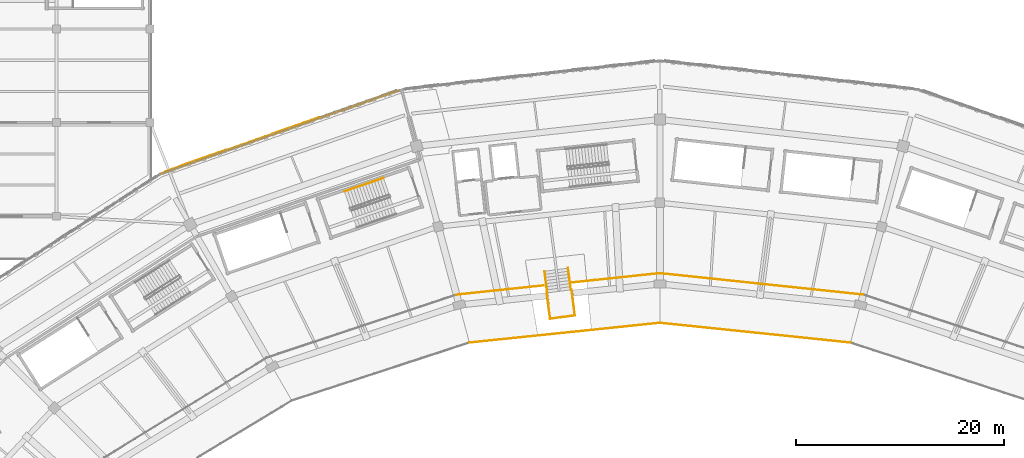
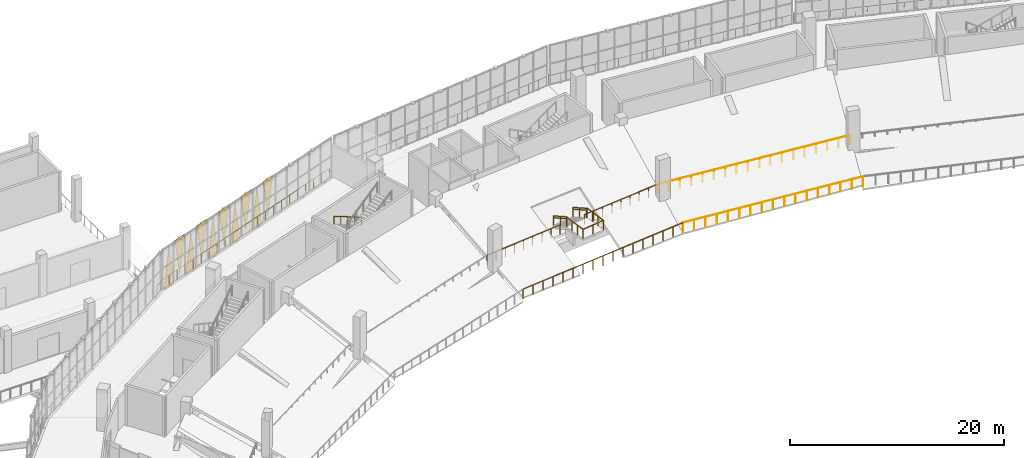
# One storey, part 144 of 152: 14 railings, 10 coverings.
"""IFC4 building model written with IfcOpenShell, lengths in metres."""

from ifc_helpers import new_model, si_unit, direction, frame, origin, origin_2d, place, context, subcontext, project, spatial, polyline, circle, outline, extrude, material, layer, layer_set, type_object, element, save


model = new_model("IFC4")

# Units and contexts
model_context = context("Model", 3, precision=1e-05, world=origin(), true_north=direction((0.0, 1.0)))
body_context = subcontext(model_context, "Body", "Model", "MODEL_VIEW")
ifc_project = project(units=[si_unit("LENGTHUNIT", "METRE"), si_unit("AREAUNIT", "SQUARE_METRE"), si_unit("VOLUMEUNIT", "CUBIC_METRE"), si_unit("PLANEANGLEUNIT", "RADIAN"), si_unit("MASSUNIT", "GRAM", prefix="KILO")], contexts=[model_context])

# Site, building, storey
site_placement = place(None, origin())
site = spatial("IfcSite", under=ifc_project, at=site_placement, CompositionType="ELEMENT")
building_placement = place(site_placement, origin())
building = spatial("IfcBuilding", under=site, at=building_placement, Name="Zevraka Park Crest Stadium", CompositionType="ELEMENT")
storey_placement = place(building_placement, frame((0.0, 0.0, 15.0)))
storey = spatial("IfcBuildingStorey", under=building, at=storey_placement, Name="L03", CompositionType="ELEMENT", Elevation=15.0)

# Coverings
ifc_material_1 = material(Name="Architectural golden-bronze perforated aluminium", Category="aluminium")
ifc_layer = layer(ifc_material_1, 0.034912109375)
ifc_layer_set = layer_set([ifc_layer], Name="Architectural golden-bronze perforated aluminium")
covering_type = type_object("IfcCoveringType", Name="CLD01", PredefinedType="CLADDING", material=ifc_layer_set)
covering_1_placement = place(storey_placement, frame((77.882080078125, 167.0, 4.52001953125), z_axis=(0.330012295654, -0.943976624056, 0.00013398862), x_axis=(0.94397663253, 0.330012298616, 0.0)))
element("IfcCovering", 1, at=covering_1_placement, inside=storey, type_object=covering_type, Name="Triangular Golden-Bronze Perforated Cladding L03-07-6", PredefinedType="CLADDING", context=body_context, shape_type="SweptSolid", body=[
    extrude(outline(polyline([(0.0, 0.0), (1.4152230616345545, 6.776263578034403e-21), (0.7074101072951724, -4.300048866724282), (0.0, 0.0)])), origin(), (0.0, 0.0, -1.0), 0.034912109375),
])
covering_2_placement = place(storey_placement, frame((77.73095703125, 166.947021484375, -0.260009765625), z_axis=(0.33001229605, -0.943976625189, 0.000124706276), x_axis=(-0.94397663253, -0.330012298616, 0.0)))
element("IfcCovering", 2, at=covering_2_placement, inside=storey, type_object=covering_type, Name="Triangular Golden-Bronze Perforated Cladding L03-07-7", PredefinedType="CLADDING", context=body_context, shape_type="SweptSolid", body=[
    extrude(outline(polyline([(0.0, 0.0), (1.4152230616345542, 0.0), (0.7074101072951724, -4.620117223425236), (0.0, 0.0)])), origin(), (0.0, 0.0, -1.0), 0.034912109375),
])
covering_3_placement = place(storey_placement, frame((74.908935546875, 165.9609375, 4.52001953125), z_axis=(0.329611991176, -0.944116483894, 1.0626568e-05), x_axis=(0.944116483947, 0.329611991195, 0.0)))
element("IfcCovering", 3, at=covering_3_placement, inside=storey, type_object=covering_type, Name="Triangular Golden-Bronze Perforated Cladding L03-07-8", PredefinedType="CLADDING", context=body_context, shape_type="SweptSolid", body=[
    extrude(outline(polyline([(0.0, 0.0), (1.4139790589388457, 0.0), (0.7074907596851191, -4.30004882836779), (0.0, 0.0)])), origin(), (0.0, 0.0, -1.0), 0.034912109375),
])
covering_4_placement = place(storey_placement, frame((74.758056640625, 165.907958984375, -0.260009765625), z_axis=(-0.330012297693, 0.943976629887, 7.4823766e-05), x_axis=(-0.94397663253, -0.330012298616, 0.0)))
element("IfcCovering", 4, at=covering_4_placement, inside=storey, type_object=covering_type, Name="Triangular Golden-Bronze Perforated Cladding L03-07-9", PredefinedType="CLADDING", context=body_context, shape_type="SweptSolid", body=[
    extrude(outline(polyline([(0.0, 0.0), (1.4152230616345542, 0.0), (0.70773238493054, 4.620117200433086), (0.0, 0.0)])), origin(), (0.0, 0.0, -1.0), 0.034912109375),
])
covering_5_placement = place(storey_placement, frame((71.93505859375, 164.9208984375, 4.52001953125), z_axis=(-0.330012295654, 0.943976624056, 0.00013398862), x_axis=(0.94397663253, 0.330012298616, 0.0)))
element("IfcCovering", 5, at=covering_5_placement, inside=storey, type_object=covering_type, Name="Triangular Golden-Bronze Perforated Cladding L03-07-10", PredefinedType="CLADDING", context=body_context, shape_type="SweptSolid", body=[
    extrude(outline(polyline([(0.0, 0.0), (1.4152230616345545, 6.776263578034403e-21), (0.707812954339382, 4.300048866724282), (0.0, 0.0)])), origin(), (0.0, 0.0, -1.0), 0.034912109375),
])
covering_6_placement = place(storey_placement, frame((71.783935546875, 164.867919921875, -0.260009765625), z_axis=(-0.329243357705, 0.944245101341, 0.0), x_axis=(-0.944245101341, -0.329243357705, 0.0)))
element("IfcCovering", 6, at=covering_6_placement, inside=storey, type_object=covering_type, Name="Triangular Golden-Bronze Perforated Cladding L03-07-11", PredefinedType="CLADDING", context=body_context, shape_type="SweptSolid", body=[
    extrude(outline(polyline([(0.0, 0.0), (1.414820683847903, 0.0), (0.7074103419239515, 4.6201171875), (0.0, 0.0)])), origin(), (0.0, 0.0, -1.0), 0.034912109375),
])
covering_7_placement = place(storey_placement, frame((68.9609375, 163.882080078125, 4.52001953125), z_axis=(0.329958563173, -0.943995408388, 0.000124624382), x_axis=(0.943995415719, 0.329958565735, 0.0)))
element("IfcCovering", 7, at=covering_7_placement, inside=storey, type_object=covering_type, Name="Triangular Golden-Bronze Perforated Cladding L03-07-12", PredefinedType="CLADDING", context=body_context, shape_type="SweptSolid", body=[
    extrude(outline(polyline([(0.0, 0.0), (1.415453526972662, 0.0), (0.7074101389447789, -4.3000488615175385), (0.0, 0.0)])), origin(), (0.0, 0.0, -1.0), 0.034912109375),
])
covering_8_placement = place(storey_placement, frame((68.81005859375, 163.8291015625, -0.260009765625), z_axis=(0.330012297693, -0.943976629887, 7.4823766e-05), x_axis=(-0.94397663253, -0.330012298616, 0.0)))
element("IfcCovering", 8, at=covering_8_placement, inside=storey, type_object=covering_type, Name="Triangular Golden-Bronze Perforated Cladding L03-07-13", PredefinedType="CLADDING", context=body_context, shape_type="SweptSolid", body=[
    extrude(outline(polyline([(0.0, 0.0), (1.4152230616345542, 0.0), (0.7074906767040143, -4.620117200433086), (0.0, 0.0)])), origin(), (0.0, 0.0, -1.0), 0.034912109375),
])
covering_9_placement = place(storey_placement, frame((65.987060546875, 162.843017578125, 4.52001953125), z_axis=(0.32939719824, -0.944191445139, 2.6803822e-05), x_axis=(0.944191445478, 0.329397198358, 0.0)))
element("IfcCovering", 9, at=covering_9_placement, inside=storey, type_object=covering_type, Name="Triangular Golden-Bronze Perforated Cladding L03-07-14", PredefinedType="CLADDING", context=body_context, shape_type="SweptSolid", body=[
    extrude(outline(polyline([(0.0, 0.0), (1.4149010843069405, 0.0), (0.70741033253453, -4.300048829669675), (0.0, 0.0)])), origin(), (0.0, 0.0, -1.0), 0.034912109375),
])
covering_10_placement = place(storey_placement, frame((65.8359375, 162.7900390625, -0.260009765625), z_axis=(-0.33001229605, 0.943976625189, 0.000124706276), x_axis=(-0.94397663253, -0.330012298616, 0.0)))
element("IfcCovering", 10, at=covering_10_placement, inside=storey, type_object=covering_type, Name="Triangular Golden-Bronze Perforated Cladding L03-07-15", PredefinedType="CLADDING", context=body_context, shape_type="SweptSolid", body=[
    extrude(outline(polyline([(0.0, 0.0), (1.4152230616345542, 0.0), (0.707812954339382, 4.620117223425236), (0.0, 0.0)])), origin(), (0.0, 0.0, -1.0), 0.034912109375),
])

# Railings
ifc_material_2 = material(Name="Galvanised and bronze-finished steel balustrade", Category="steel")
railing_type_1 = type_object("IfcRailingType", Name="GR01", PredefinedType="GUARDRAIL", material=ifc_material_2)
railing_1_placement = place(storey_placement, frame((64.031005859375, 162.0849609375, 0.0)))
element("IfcRailing", 11, at=railing_1_placement, inside=storey, type_object=railing_type_1, Name="Deck Edge Protection Guardrail GR01 L03-6", PredefinedType="GUARDRAIL", context=body_context, shape_type="SweptSolid", body=[
    extrude(circle(Radius=0.02392578125, at=origin_2d()), frame((0.0, 0.0, 1.076171875), z_axis=(0.944005831899, 0.329928764041, 0.0), x_axis=(-0.329928764041, 0.944005831899, 0.0)), (0.0, 0.0, 1.0), 24.141845703125),
    extrude(circle(Radius=0.02099609375, at=origin_2d()), origin(), (0.0, 0.0, 1.0), 1.052001953125),
    extrude(circle(Radius=0.02099609375, at=origin_2d()), frame((1.085205078125, 0.37939453125, 0.0)), (0.0, 0.0, 1.0), 1.052001953125),
    extrude(circle(Radius=0.02099609375, at=origin_2d()), frame((2.17041015625, 0.758544921875, 0.0)), (0.0, 0.0, 1.0), 1.052001953125),
    extrude(circle(Radius=0.02099609375, at=origin_2d()), frame((3.255615234375, 1.137939453125, 0.0)), (0.0, 0.0, 1.0), 1.052001953125),
    extrude(circle(Radius=0.02099609375, at=origin_2d()), frame((4.341064453125, 1.51708984375, 0.0)), (0.0, 0.0, 1.0), 1.052001953125),
    extrude(circle(Radius=0.02099609375, at=origin_2d()), frame((5.42626953125, 1.896484375, 0.0)), (0.0, 0.0, 1.0), 1.052001953125),
    extrude(circle(Radius=0.02099609375, at=origin_2d()), frame((6.511474609375, 2.275634765625, 0.0)), (0.0, 0.0, 1.0), 1.052001953125),
    extrude(circle(Radius=0.02099609375, at=origin_2d()), frame((7.5966796875, 2.655029296875, 0.0)), (0.0, 0.0, 1.0), 1.052001953125),
    extrude(circle(Radius=0.02099609375, at=origin_2d()), frame((8.681884765625, 3.034423828125, 0.0)), (0.0, 0.0, 1.0), 1.052001953125),
    extrude(circle(Radius=0.02099609375, at=origin_2d()), frame((9.76708984375, 3.41357421875, 0.0)), (0.0, 0.0, 1.0), 1.052001953125),
    extrude(circle(Radius=0.02099609375, at=origin_2d()), frame((10.852294921875, 3.79296875, 0.0)), (0.0, 0.0, 1.0), 1.052001953125),
    extrude(circle(Radius=0.02099609375, at=origin_2d()), frame((11.937744140625, 4.172119140625, 0.0)), (0.0, 0.0, 1.0), 1.052001953125),
    extrude(circle(Radius=0.02099609375, at=origin_2d()), frame((13.02294921875, 4.551513671875, 0.0)), (0.0, 0.0, 1.0), 1.052001953125),
    extrude(circle(Radius=0.02099609375, at=origin_2d()), frame((14.108154296875, 4.9306640625, 0.0)), (0.0, 0.0, 1.0), 1.052001953125),
    extrude(circle(Radius=0.02099609375, at=origin_2d()), frame((15.193359375, 5.31005859375, 0.0)), (0.0, 0.0, 1.0), 1.052001953125),
    extrude(circle(Radius=0.02099609375, at=origin_2d()), frame((16.278564453125, 5.689453125, 0.0)), (0.0, 0.0, 1.0), 1.052001953125),
    extrude(circle(Radius=0.02099609375, at=origin_2d()), frame((17.36376953125, 6.068603515625, 0.0)), (0.0, 0.0, 1.0), 1.052001953125),
    extrude(circle(Radius=0.02099609375, at=origin_2d()), frame((18.448974609375, 6.447998046875, 0.0)), (0.0, 0.0, 1.0), 1.052001953125),
    extrude(circle(Radius=0.02099609375, at=origin_2d()), frame((19.534423828125, 6.8271484375, 0.0)), (0.0, 0.0, 1.0), 1.052001953125),
    extrude(circle(Radius=0.02099609375, at=origin_2d()), frame((20.61962890625, 7.20654296875, 0.0)), (0.0, 0.0, 1.0), 1.052001953125),
    extrude(circle(Radius=0.02099609375, at=origin_2d()), frame((21.704833984375, 7.585693359375, 0.0)), (0.0, 0.0, 1.0), 1.052001953125),
    extrude(circle(Radius=0.02099609375, at=origin_2d()), frame((22.7900390625, 7.965087890625, 0.0)), (0.0, 0.0, 1.0), 1.052001953125),
])
railing_2_placement = place(storey_placement, frame((131.5390625, 150.458984375, 0.0)))
element("IfcRailing", 12, at=railing_2_placement, inside=storey, type_object=railing_type_1, Name="Deck Edge Protection Guardrail GR01 L03-70", PredefinedType="GUARDRAIL", context=body_context, shape_type="SweptSolid", body=[
    extrude(circle(Radius=0.02392578125, at=origin_2d()), frame((0.0, 0.0, 1.076171875), z_axis=(-0.994480499589, 0.104921570405, 0.0), x_axis=(-0.104921570405, -0.994480499589, 0.0)), (0.0, 0.0, 1.0), 19.6435546875),
    extrude(circle(Radius=0.02099609375, at=origin_2d()), origin(), (0.0, 0.0, 1.0), 1.052001953125),
    extrude(circle(Radius=0.02099609375, at=origin_2d()), frame((-1.149169921875, 0.121337890625, 0.0)), (0.0, 0.0, 1.0), 1.052001953125),
    extrude(circle(Radius=0.02099609375, at=origin_2d()), frame((-2.29833984375, 0.242431640625, 0.0)), (0.0, 0.0, 1.0), 1.052001953125),
    extrude(circle(Radius=0.02099609375, at=origin_2d()), frame((-3.447265625, 0.36376953125, 0.0)), (0.0, 0.0, 1.0), 1.052001953125),
    extrude(circle(Radius=0.02099609375, at=origin_2d()), frame((-4.596435546875, 0.48486328125, 0.0)), (0.0, 0.0, 1.0), 1.052001953125),
    extrude(circle(Radius=0.02099609375, at=origin_2d()), frame((-5.74560546875, 0.606201171875, 0.0)), (0.0, 0.0, 1.0), 1.052001953125),
    extrude(circle(Radius=0.02099609375, at=origin_2d()), frame((-6.894775390625, 0.7275390625, 0.0)), (0.0, 0.0, 1.0), 1.052001953125),
    extrude(circle(Radius=0.02099609375, at=origin_2d()), frame((-8.0439453125, 0.8486328125, 0.0)), (0.0, 0.0, 1.0), 1.052001953125),
    extrude(circle(Radius=0.02099609375, at=origin_2d()), frame((-9.193115234375, 0.969970703125, 0.0)), (0.0, 0.0, 1.0), 1.052001953125),
    extrude(circle(Radius=0.02099609375, at=origin_2d()), frame((-10.342041015625, 1.091064453125, 0.0)), (0.0, 0.0, 1.0), 1.052001953125),
    extrude(circle(Radius=0.02099609375, at=origin_2d()), frame((-11.4912109375, 1.21240234375, 0.0)), (0.0, 0.0, 1.0), 1.052001953125),
    extrude(circle(Radius=0.02099609375, at=origin_2d()), frame((-12.640380859375, 1.33349609375, 0.0)), (0.0, 0.0, 1.0), 1.052001953125),
    extrude(circle(Radius=0.02099609375, at=origin_2d()), frame((-13.78955078125, 1.454833984375, 0.0)), (0.0, 0.0, 1.0), 1.052001953125),
    extrude(circle(Radius=0.02099609375, at=origin_2d()), frame((-14.938720703125, 1.576171875, 0.0)), (0.0, 0.0, 1.0), 1.052001953125),
    extrude(circle(Radius=0.02099609375, at=origin_2d()), frame((-16.087890625, 1.697265625, 0.0)), (0.0, 0.0, 1.0), 1.052001953125),
    extrude(circle(Radius=0.02099609375, at=origin_2d()), frame((-17.23681640625, 1.818603515625, 0.0)), (0.0, 0.0, 1.0), 1.052001953125),
    extrude(circle(Radius=0.02099609375, at=origin_2d()), frame((-18.385986328125, 1.939697265625, 0.0)), (0.0, 0.0, 1.0), 1.052001953125),
    extrude(circle(Radius=0.02099609375, at=origin_2d()), frame((-19.53515625, 2.06103515625, 0.0)), (0.0, 0.0, 1.0), 1.052001953125),
])
railing_3_placement = place(storey_placement, frame((112.00390625, 152.52001953125, 0.0)))
element("IfcRailing", 13, at=railing_3_placement, inside=storey, type_object=railing_type_1, Name="Deck Edge Protection Guardrail GR01 L03-71", PredefinedType="GUARDRAIL", context=body_context, shape_type="SweptSolid", body=[
    extrude(circle(Radius=0.02392578125, at=origin_2d()), frame((0.0, 0.0, 1.076171875), z_axis=(-0.994486553232, -0.104864176158, 0.0), x_axis=(0.104864176158, -0.994486553232, 0.0)), (0.0, 0.0, 1.0), 8.43017578125),
    extrude(circle(Radius=0.02099609375, at=origin_2d()), origin(), (0.0, 0.0, 1.0), 1.052001953125),
    extrude(circle(Radius=0.02099609375, at=origin_2d()), frame((-1.0478515625, -0.110595703125, 0.0)), (0.0, 0.0, 1.0), 1.052001953125),
    extrude(circle(Radius=0.02099609375, at=origin_2d()), frame((-2.095947265625, -0.220947265625, 0.0)), (0.0, 0.0, 1.0), 1.052001953125),
    extrude(circle(Radius=0.02099609375, at=origin_2d()), frame((-3.14404296875, -0.33154296875, 0.0)), (0.0, 0.0, 1.0), 1.052001953125),
    extrude(circle(Radius=0.02099609375, at=origin_2d()), frame((-4.19189453125, -0.44189453125, 0.0)), (0.0, 0.0, 1.0), 1.052001953125),
    extrude(circle(Radius=0.02099609375, at=origin_2d()), frame((-5.23974609375, -0.552490234375, 0.0)), (0.0, 0.0, 1.0), 1.052001953125),
    extrude(circle(Radius=0.02099609375, at=origin_2d()), frame((-6.287841796875, -0.6630859375, 0.0)), (0.0, 0.0, 1.0), 1.052001953125),
    extrude(circle(Radius=0.02099609375, at=origin_2d()), frame((-7.3359375, -0.7734375, 0.0)), (0.0, 0.0, 1.0), 1.052001953125),
    extrude(circle(Radius=0.02099609375, at=origin_2d()), frame((-8.3837890625, -0.884033203125, 0.0)), (0.0, 0.0, 1.0), 1.052001953125),
])
railing_4_placement = place(storey_placement, frame((100.8349609375, 151.343017578125, 0.0)))
element("IfcRailing", 14, at=railing_4_placement, inside=storey, type_object=railing_type_1, Name="Deck Edge Protection Guardrail GR01 L03-72", PredefinedType="GUARDRAIL", context=body_context, shape_type="SweptSolid", body=[
    extrude(circle(Radius=0.02392578125, at=origin_2d()), frame((0.0, 0.0, 1.076171875), z_axis=(-0.994458526319, -0.105129631555, 0.0), x_axis=(0.105129631555, -0.994458526319, 0.0)), (0.0, 0.0, 1.0), 8.427490234375),
    extrude(circle(Radius=0.02099609375, at=origin_2d()), origin(), (0.0, 0.0, 1.0), 1.052001953125),
    extrude(circle(Radius=0.02099609375, at=origin_2d()), frame((-1.047607421875, -0.11083984375, 0.0)), (0.0, 0.0, 1.0), 1.052001953125),
    extrude(circle(Radius=0.02099609375, at=origin_2d()), frame((-2.09521484375, -0.221435546875, 0.0)), (0.0, 0.0, 1.0), 1.052001953125),
    extrude(circle(Radius=0.02099609375, at=origin_2d()), frame((-3.142822265625, -0.332275390625, 0.0)), (0.0, 0.0, 1.0), 1.052001953125),
    extrude(circle(Radius=0.02099609375, at=origin_2d()), frame((-4.1904296875, -0.44287109375, 0.0)), (0.0, 0.0, 1.0), 1.052001953125),
    extrude(circle(Radius=0.02099609375, at=origin_2d()), frame((-5.238037109375, -0.5537109375, 0.0)), (0.0, 0.0, 1.0), 1.052001953125),
    extrude(circle(Radius=0.02099609375, at=origin_2d()), frame((-6.28564453125, -0.66455078125, 0.0)), (0.0, 0.0, 1.0), 1.052001953125),
    extrude(circle(Radius=0.02099609375, at=origin_2d()), frame((-7.333251953125, -0.775146484375, 0.0)), (0.0, 0.0, 1.0), 1.052001953125),
    extrude(circle(Radius=0.02099609375, at=origin_2d()), frame((-8.380859375, -0.885986328125, 0.0)), (0.0, 0.0, 1.0), 1.052001953125),
])
ifc_material_3 = material(Name="Laminated glass and stainless steel sightline bowl guard", Category="steel")
railing_type_2 = type_object("IfcRailingType", Name="GR02", PredefinedType="GUARDRAIL", material=ifc_material_3)
railing_5_placement = place(storey_placement, frame((130.31103515625, 145.85009765625, -1.5)))
element("IfcRailing", 15, at=railing_5_placement, inside=storey, type_object=railing_type_2, Name="Upper Tier Cantilever Sightline Guard GR02 05", PredefinedType="GUARDRAIL", context=body_context, shape_type="SweptSolid", body=[
    extrude(circle(Radius=0.02392578125, at=origin_2d()), frame((0.0, 0.0, 1.09619140625), z_axis=(-0.994660293525, 0.103203199971, 0.0), x_axis=(-0.103203199971, -0.994660293525, 0.0)), (0.0, 0.0, 1.0), 18.409423828125),
    extrude(circle(Radius=0.02099609375, at=origin_2d()), origin(), (0.0, 0.0, 1.0), 1.072021484375),
    extrude(circle(Radius=0.02099609375, at=origin_2d()), frame((-1.14453125, 0.11865234375, 0.0)), (0.0, 0.0, 1.0), 1.072021484375),
    extrude(circle(Radius=0.02099609375, at=origin_2d()), frame((-2.288818359375, 0.237548828125, 0.0)), (0.0, 0.0, 1.0), 1.072021484375),
    extrude(circle(Radius=0.02099609375, at=origin_2d()), frame((-3.433349609375, 0.356201171875, 0.0)), (0.0, 0.0, 1.0), 1.072021484375),
    extrude(circle(Radius=0.02099609375, at=origin_2d()), frame((-4.57763671875, 0.47509765625, 0.0)), (0.0, 0.0, 1.0), 1.072021484375),
    extrude(circle(Radius=0.02099609375, at=origin_2d()), frame((-5.72216796875, 0.59375, 0.0)), (0.0, 0.0, 1.0), 1.072021484375),
    extrude(circle(Radius=0.02099609375, at=origin_2d()), frame((-6.86669921875, 0.71240234375, 0.0)), (0.0, 0.0, 1.0), 1.072021484375),
    extrude(circle(Radius=0.02099609375, at=origin_2d()), frame((-8.010986328125, 0.831298828125, 0.0)), (0.0, 0.0, 1.0), 1.072021484375),
    extrude(circle(Radius=0.02099609375, at=origin_2d()), frame((-9.155517578125, 0.949951171875, 0.0)), (0.0, 0.0, 1.0), 1.072021484375),
    extrude(circle(Radius=0.02099609375, at=origin_2d()), frame((-10.300048828125, 1.068603515625, 0.0)), (0.0, 0.0, 1.0), 1.072021484375),
    extrude(circle(Radius=0.02099609375, at=origin_2d()), frame((-11.4443359375, 1.1875, 0.0)), (0.0, 0.0, 1.0), 1.072021484375),
    extrude(circle(Radius=0.02099609375, at=origin_2d()), frame((-12.5888671875, 1.30615234375, 0.0)), (0.0, 0.0, 1.0), 1.072021484375),
    extrude(circle(Radius=0.02099609375, at=origin_2d()), frame((-13.7333984375, 1.4248046875, 0.0)), (0.0, 0.0, 1.0), 1.072021484375),
    extrude(circle(Radius=0.02099609375, at=origin_2d()), frame((-14.877685546875, 1.543701171875, 0.0)), (0.0, 0.0, 1.0), 1.072021484375),
    extrude(circle(Radius=0.02099609375, at=origin_2d()), frame((-16.022216796875, 1.662353515625, 0.0)), (0.0, 0.0, 1.0), 1.072021484375),
    extrude(circle(Radius=0.02099609375, at=origin_2d()), frame((-17.16650390625, 1.78125, 0.0)), (0.0, 0.0, 1.0), 1.072021484375),
    extrude(circle(Radius=0.02099609375, at=origin_2d()), frame((-18.31103515625, 1.89990234375, 0.0)), (0.0, 0.0, 1.0), 1.072021484375),
])
railing_6_placement = place(storey_placement, frame((112.0, 147.75, -1.5)))
element("IfcRailing", 16, at=railing_6_placement, inside=storey, type_object=railing_type_2, Name="Upper Tier Cantilever Sightline Guard GR02 06", PredefinedType="GUARDRAIL", context=body_context, shape_type="SweptSolid", body=[
    extrude(circle(Radius=0.02392578125, at=origin_2d()), frame((0.0, 0.0, 1.09619140625), z_axis=(-0.994660293525, -0.103203199971, 0.0), x_axis=(0.103203199971, -0.994660293525, 0.0)), (0.0, 0.0, 1.0), 18.409423828125),
    extrude(circle(Radius=0.02099609375, at=origin_2d()), origin(), (0.0, 0.0, 1.0), 1.072021484375),
    extrude(circle(Radius=0.02099609375, at=origin_2d()), frame((-1.14453125, -0.11865234375, 0.0)), (0.0, 0.0, 1.0), 1.072021484375),
    extrude(circle(Radius=0.02099609375, at=origin_2d()), frame((-2.288818359375, -0.237548828125, 0.0)), (0.0, 0.0, 1.0), 1.072021484375),
    extrude(circle(Radius=0.02099609375, at=origin_2d()), frame((-3.433349609375, -0.356201171875, 0.0)), (0.0, 0.0, 1.0), 1.072021484375),
    extrude(circle(Radius=0.02099609375, at=origin_2d()), frame((-4.57763671875, -0.47509765625, 0.0)), (0.0, 0.0, 1.0), 1.072021484375),
    extrude(circle(Radius=0.02099609375, at=origin_2d()), frame((-5.72216796875, -0.59375, 0.0)), (0.0, 0.0, 1.0), 1.072021484375),
    extrude(circle(Radius=0.02099609375, at=origin_2d()), frame((-6.86669921875, -0.71240234375, 0.0)), (0.0, 0.0, 1.0), 1.072021484375),
    extrude(circle(Radius=0.02099609375, at=origin_2d()), frame((-8.010986328125, -0.831298828125, 0.0)), (0.0, 0.0, 1.0), 1.072021484375),
    extrude(circle(Radius=0.02099609375, at=origin_2d()), frame((-9.155517578125, -0.949951171875, 0.0)), (0.0, 0.0, 1.0), 1.072021484375),
    extrude(circle(Radius=0.02099609375, at=origin_2d()), frame((-10.300048828125, -1.068603515625, 0.0)), (0.0, 0.0, 1.0), 1.072021484375),
    extrude(circle(Radius=0.02099609375, at=origin_2d()), frame((-11.4443359375, -1.1875, 0.0)), (0.0, 0.0, 1.0), 1.072021484375),
    extrude(circle(Radius=0.02099609375, at=origin_2d()), frame((-12.5888671875, -1.30615234375, 0.0)), (0.0, 0.0, 1.0), 1.072021484375),
    extrude(circle(Radius=0.02099609375, at=origin_2d()), frame((-13.7333984375, -1.4248046875, 0.0)), (0.0, 0.0, 1.0), 1.072021484375),
    extrude(circle(Radius=0.02099609375, at=origin_2d()), frame((-14.877685546875, -1.543701171875, 0.0)), (0.0, 0.0, 1.0), 1.072021484375),
    extrude(circle(Radius=0.02099609375, at=origin_2d()), frame((-16.022216796875, -1.662353515625, 0.0)), (0.0, 0.0, 1.0), 1.072021484375),
    extrude(circle(Radius=0.02099609375, at=origin_2d()), frame((-17.16650390625, -1.78125, 0.0)), (0.0, 0.0, 1.0), 1.072021484375),
    extrude(circle(Radius=0.02099609375, at=origin_2d()), frame((-18.31103515625, -1.89990234375, 0.0)), (0.0, 0.0, 1.0), 1.072021484375),
])
ifc_material_4 = material(Name="Powder-coated tubular steel stairwell guard", Category="steel")
railing_type_3 = type_object("IfcRailingType", Name="GR03", PredefinedType="GUARDRAIL", material=ifc_material_4)
railing_7_placement = place(storey_placement, frame((100.916015625, 152.717041015625, 0.14990234375)))
element("IfcRailing", 17, at=railing_7_placement, inside=storey, type_object=railing_type_3, Name="Vomitory Flight Guard VS-11-1", PredefinedType="GUARDRAIL", context=body_context, shape_type="SweptSolid", body=[
    extrude(circle(Radius=0.02392578125, at=origin_2d()), frame((0.0, 0.0, 1.076171875), z_axis=(0.116669926107, -0.886774625528, 0.447234716744), x_axis=(0.9914558783, 0.13044248305, 0.0)), (0.0, 0.0, 1.0), 2.347900390625),
    extrude(circle(Radius=0.02099609375, at=origin_2d()), origin(), (0.0, 0.0, 1.0), 1.052001953125),
    extrude(circle(Radius=0.02099609375, at=origin_2d()), frame((0.136962890625, -1.041015625, 0.52490234375)), (0.0, 0.0, 1.0), 1.052001953125),
    extrude(circle(Radius=0.02099609375, at=origin_2d()), frame((0.27392578125, -2.08203125, 1.050048828125)), (0.0, 0.0, 1.0), 1.052001953125),
])
railing_8_placement = place(storey_placement, frame((103.176025390625, 153.014892578125, 0.14990234375)))
element("IfcRailing", 18, at=railing_8_placement, inside=storey, type_object=railing_type_3, Name="Vomitory Flight Guard VS-11-2", PredefinedType="GUARDRAIL", context=body_context, shape_type="SweptSolid", body=[
    extrude(circle(Radius=0.02392578125, at=origin_2d()), frame((0.0, 0.0, 1.076171875), z_axis=(0.116680685131, -0.886752408297, 0.447275959668), x_axis=(0.991453899785, 0.130457520295, 0.0)), (0.0, 0.0, 1.0), 2.34765625),
    extrude(circle(Radius=0.02099609375, at=origin_2d()), origin(), (0.0, 0.0, 1.0), 1.052001953125),
    extrude(circle(Radius=0.02099609375, at=origin_2d()), frame((0.136962890625, -1.041015625, 0.52490234375)), (0.0, 0.0, 1.0), 1.052001953125),
    extrude(circle(Radius=0.02099609375, at=origin_2d()), frame((0.27392578125, -2.081787109375, 1.050048828125)), (0.0, 0.0, 1.0), 1.052001953125),
])
railing_9_placement = place(storey_placement, frame((101.126953125, 150.652099609375, 1.199951171875)))
element("IfcRailing", 19, at=railing_9_placement, inside=storey, type_object=railing_type_3, Name="Vomitory Landing Guard VS-11-1", PredefinedType="GUARDRAIL", context=body_context, shape_type="SweptSolid", body=[
    extrude(circle(Radius=0.02392578125, at=origin_2d()), frame((0.0, 0.0, 1.076171875), z_axis=(0.130732152868, -0.991417724376, 0.0), x_axis=(0.991417724376, 0.130732152868, 0.0)), (0.0, 0.0, 1.0), 2.52490234375),
    extrude(circle(Radius=0.02099609375, at=origin_2d()), origin(), (0.0, 0.0, 1.0), 1.052001953125),
    extrude(circle(Radius=0.02099609375, at=origin_2d()), frame((0.110107421875, -0.83447265625, 0.0)), (0.0, 0.0, 1.0), 1.052001953125),
    extrude(circle(Radius=0.02099609375, at=origin_2d()), frame((0.219970703125, -1.668701171875, 0.0)), (0.0, 0.0, 1.0), 1.052001953125),
    extrude(circle(Radius=0.02099609375, at=origin_2d()), frame((0.330078125, -2.503173828125, 0.0)), (0.0, 0.0, 1.0), 1.052001953125),
])
railing_10_placement = place(storey_placement, frame((101.45703125, 148.14892578125, 1.199951171875)))
element("IfcRailing", 20, at=railing_10_placement, inside=storey, type_object=railing_type_3, Name="Vomitory Landing Guard VS-11-2", PredefinedType="GUARDRAIL", context=body_context, shape_type="SweptSolid", body=[
    extrude(circle(Radius=0.02392578125, at=origin_2d()), frame((0.0, 0.0, 1.076171875), z_axis=(0.991455680788, 0.130443984274, 0.0), x_axis=(-0.130443984274, 0.991455680788, 0.0)), (0.0, 0.0, 1.0), 2.3994140625),
    extrude(circle(Radius=0.02099609375, at=origin_2d()), origin(), (0.0, 0.0, 1.0), 1.052001953125),
    extrude(circle(Radius=0.02099609375, at=origin_2d()), frame((1.189453125, 0.156494140625, 0.0)), (0.0, 0.0, 1.0), 1.052001953125),
    extrude(circle(Radius=0.02099609375, at=origin_2d()), frame((2.37890625, 0.31298828125, 0.0)), (0.0, 0.0, 1.0), 1.052001953125),
])
railing_11_placement = place(storey_placement, frame((103.8359375, 148.4619140625, 1.199951171875)))
element("IfcRailing", 21, at=railing_11_placement, inside=storey, type_object=railing_type_3, Name="Vomitory Landing Guard VS-11-3", PredefinedType="GUARDRAIL", context=body_context, shape_type="SweptSolid", body=[
    extrude(circle(Radius=0.02392578125, at=origin_2d()), frame((0.0, 0.0, 1.076171875), z_axis=(-0.130256894021, 0.991480277948, 0.0), x_axis=(-0.991480277948, -0.130256894021, 0.0)), (0.0, 0.0, 1.0), 2.524658203125),
    extrude(circle(Radius=0.02099609375, at=origin_2d()), origin(), (0.0, 0.0, 1.0), 1.052001953125),
    extrude(circle(Radius=0.02099609375, at=origin_2d()), frame((-0.109619140625, 0.83447265625, 0.0)), (0.0, 0.0, 1.0), 1.052001953125),
    extrude(circle(Radius=0.02099609375, at=origin_2d()), frame((-0.21923828125, 1.668701171875, 0.0)), (0.0, 0.0, 1.0), 1.052001953125),
    extrude(circle(Radius=0.02099609375, at=origin_2d()), frame((-0.328857421875, 2.503173828125, 0.0)), (0.0, 0.0, 1.0), 1.052001953125),
])
ifc_material_5 = material(Name="Brushed stainless steel continuous handrail", Category="steel")
railing_type_4 = type_object("IfcRailingType", Name="HR01", PredefinedType="HANDRAIL", material=ifc_material_5)
railing_12_placement = place(storey_placement, frame((85.43310546875, 161.671875, 0.17138671875)))
element("IfcRailing", 22, at=railing_12_placement, inside=storey, type_object=railing_type_4, Name="L03 ST08 stair handrail 1", PredefinedType="HANDRAIL", context=body_context, shape_type="SweptSolid", body=[
    extrude(circle(Radius=0.02392578125, at=origin_2d()), frame((0.0, 0.0, 0.8759765625), z_axis=(-0.824726794133, -0.282441418206, 0.489951589772), x_axis=(0.32399372979, -0.946059228091, 0.0)), (0.0, 0.0, 1.0), 4.54833984375),
    extrude(circle(Radius=0.02099609375, at=origin_2d()), origin(), (0.0, 0.0, 1.0), 0.851806640625),
    extrude(circle(Radius=0.02099609375, at=origin_2d()), frame((-0.937744140625, -0.3212890625, 0.55712890625)), (0.0, 0.0, 1.0), 0.851806640625),
    extrude(circle(Radius=0.02099609375, at=origin_2d()), frame((-1.87548828125, -0.642333984375, 1.1142578125)), (0.0, 0.0, 1.0), 0.851806640625),
    extrude(circle(Radius=0.02099609375, at=origin_2d()), frame((-2.8134765625, -0.96337890625, 1.67138671875)), (0.0, 0.0, 1.0), 0.851806640625),
    extrude(circle(Radius=0.02099609375, at=origin_2d()), frame((-3.751220703125, -1.28466796875, 2.228515625)), (0.0, 0.0, 1.0), 0.851806640625),
])
railing_13_placement = place(storey_placement, frame((100.916015625, 152.717041015625, 0.14990234375)))
element("IfcRailing", 23, at=railing_13_placement, inside=storey, type_object=railing_type_4, Name="Vomitory Handrail VS-11-1", PredefinedType="HANDRAIL", context=body_context, shape_type="SweptSolid", body=[
    extrude(circle(Radius=0.02392578125, at=origin_2d()), frame((0.0, 0.0, 0.8759765625), z_axis=(0.116669926107, -0.886774625528, 0.447234716744), x_axis=(0.9914558783, 0.13044248305, 0.0)), (0.0, 0.0, 1.0), 2.347900390625),
    extrude(circle(Radius=0.02099609375, at=origin_2d()), origin(), (0.0, 0.0, 1.0), 0.851806640625),
    extrude(circle(Radius=0.02099609375, at=origin_2d()), frame((0.136962890625, -1.041015625, 0.52490234375)), (0.0, 0.0, 1.0), 0.851806640625),
    extrude(circle(Radius=0.02099609375, at=origin_2d()), frame((0.27392578125, -2.08203125, 1.050048828125)), (0.0, 0.0, 1.0), 0.851806640625),
])
railing_14_placement = place(storey_placement, frame((103.176025390625, 153.014892578125, 0.14990234375)))
element("IfcRailing", 24, at=railing_14_placement, inside=storey, type_object=railing_type_4, Name="Vomitory Handrail VS-11-2", PredefinedType="HANDRAIL", context=body_context, shape_type="SweptSolid", body=[
    extrude(circle(Radius=0.02392578125, at=origin_2d()), frame((0.0, 0.0, 0.8759765625), z_axis=(0.116680685131, -0.886752408297, 0.447275959668), x_axis=(0.991453899785, 0.130457520295, 0.0)), (0.0, 0.0, 1.0), 2.34765625),
    extrude(circle(Radius=0.02099609375, at=origin_2d()), origin(), (0.0, 0.0, 1.0), 0.851806640625),
    extrude(circle(Radius=0.02099609375, at=origin_2d()), frame((0.136962890625, -1.041015625, 0.52490234375)), (0.0, 0.0, 1.0), 0.851806640625),
    extrude(circle(Radius=0.02099609375, at=origin_2d()), frame((0.27392578125, -2.081787109375, 1.050048828125)), (0.0, 0.0, 1.0), 0.851806640625),
])

save(model, "model.ifc")
